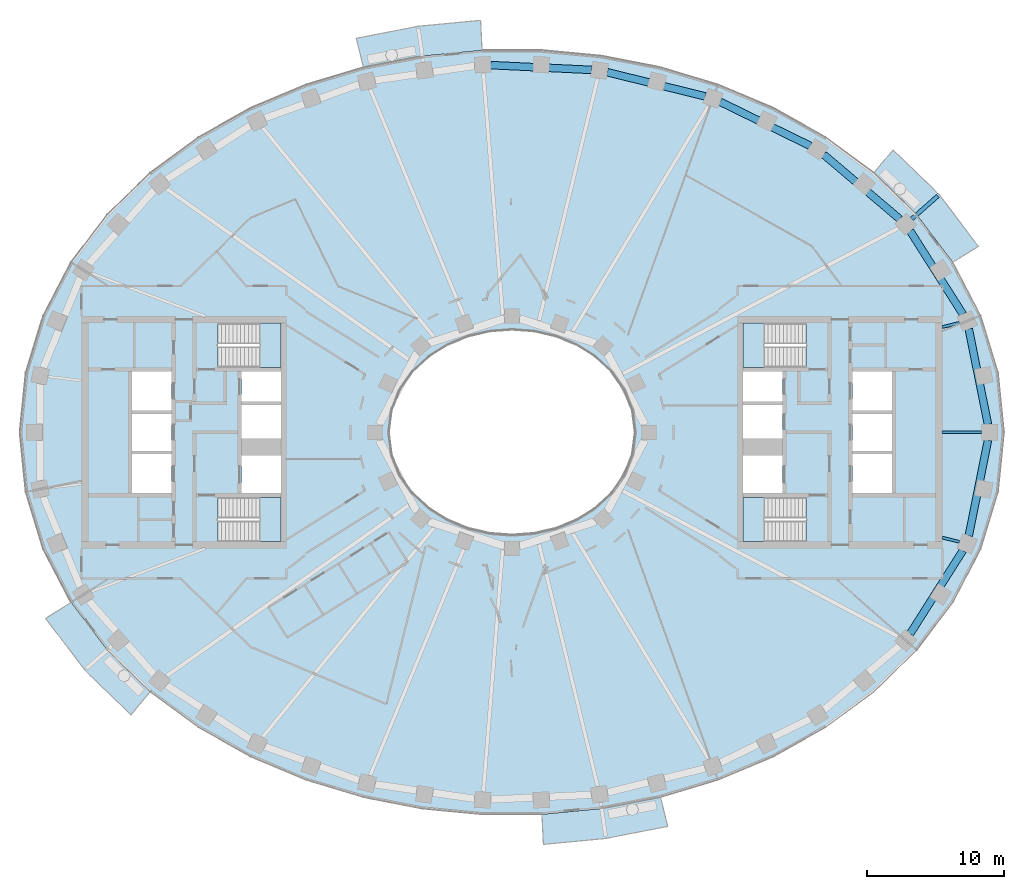
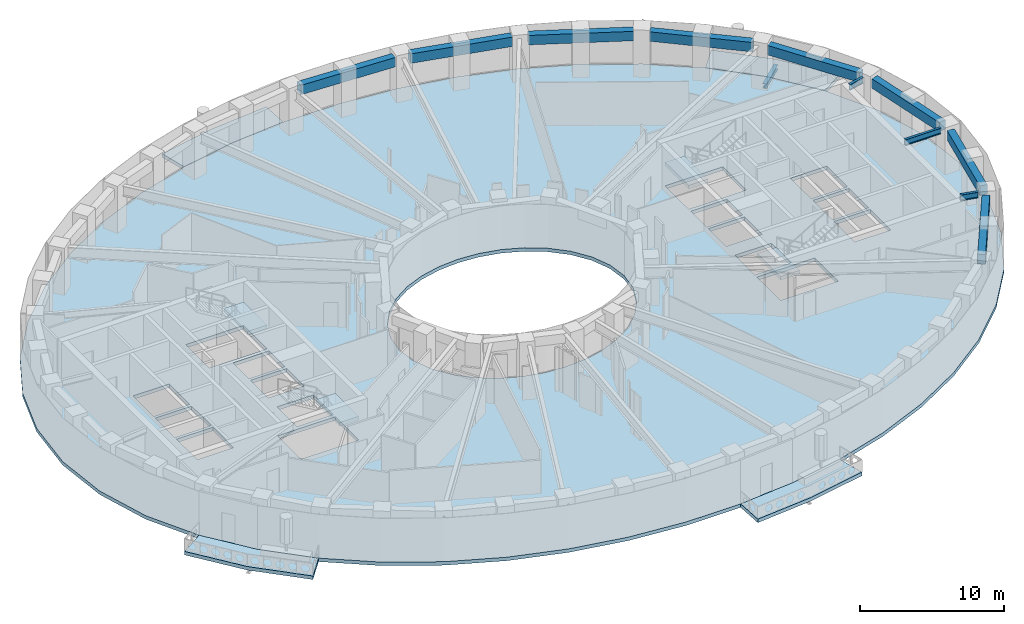
# One storey, part 2 of 16: 12 beams, 9 slabs, 4 elements without a shape of their own.
"""IFC4 building model written with IfcOpenShell, lengths in metres."""

import ifcopenshell
import ifcopenshell.guid

model = None  # the IFC model being written
_history = None  # IfcOwnerHistory: only IFC2X3 demands one
_inside = {}  # id of a spatial element -> (the spatial element, [elements in it])
_under = {}  # id of a project, library or spatial element -> (it, [spatial elements below it])
_declared = {}  # id of a project -> (the project, [libraries it declares])
_typed = {}  # id of a type object -> (the type object, [elements of that type])
_made_of = {}  # id of a material, layer set ... -> (it, [elements and type objects made of it])


def new_model(schema):
    """Start an empty IFC model of exactly this schema.

    Asked for "IFC4X3", IfcOpenShell would pick the latest addendum, in which some entities
    have other attributes; the version numbers below select the first issue.
    IFC2X3 requires an IfcOwnerHistory on every rooted entity: one is made here for all.
    """
    global model, _history
    if schema == "IFC4X3":
        model = ifcopenshell.file(schema_version=(4, 3, 0, 0))
    else:
        model = ifcopenshell.file(schema=schema)
    _inside.clear()
    _under.clear()
    _declared.clear()
    _typed.clear()
    _made_of.clear()
    _history = None
    if model.schema == "IFC2X3":
        org = make("IfcOrganization", Name="unknown")
        user = make(
            "IfcPersonAndOrganization",
            ThePerson=make("IfcPerson", FamilyName="unknown"),
            TheOrganization=org,
        )
        app = make(
            "IfcApplication",
            ApplicationDeveloper=org,
            Version="unknown",
            ApplicationFullName="unknown",
            ApplicationIdentifier="unknown",
        )
        _history = make(
            "IfcOwnerHistory",
            OwningUser=user,
            OwningApplication=app,
            ChangeAction="ADDED",
            CreationDate=0,
        )
    return model


def make(cls, **values):
    """One entity of the class cls with the attributes given. An attribute that is None is left unset."""
    return model.create_entity(
        cls, **{name: value for name, value in values.items() if value is not None}
    )


def rooted(cls, **values):
    """An entity with a GlobalId (a new one), such as an element, a storey or a relation."""
    return make(cls, GlobalId=ifcopenshell.guid.new(), OwnerHistory=_history, **values)


def si_unit(unit_type, name, prefix=None):
    """IfcSIUnit, for example si_unit("LENGTHUNIT", "METRE", prefix="MILLI")."""
    return make("IfcSIUnit", UnitType=unit_type, Prefix=prefix, Name=name)


def assignment(units):
    """IfcUnitAssignment: the units of a project."""
    return None if units is None else make("IfcUnitAssignment", Units=units)


def point(xyz):
    """IfcCartesianPoint."""
    return None if xyz is None else make("IfcCartesianPoint", Coordinates=xyz)


def direction(xyz):
    """IfcDirection."""
    return None if xyz is None else make("IfcDirection", DirectionRatios=xyz)


def frame(location, z_axis=None, x_axis=None):
    """IfcAxis2Placement3D, a coordinate frame: its origin and axes. An axis left out is left unset."""
    return make(
        "IfcAxis2Placement3D",
        Location=point(location),
        Axis=direction(z_axis),
        RefDirection=direction(x_axis),
    )


def frame_2d(location, x_axis=None):
    """IfcAxis2Placement2D, a coordinate frame in the plane: its origin and x axis."""
    return make(
        "IfcAxis2Placement2D", Location=point(location), RefDirection=direction(x_axis)
    )


def origin():
    """The frame at (0, 0, 0) with its axes left unset."""
    return frame((0.0, 0.0, 0.0))


def origin_2d():
    """The frame at (0, 0) in the plane with its x axis left unset."""
    return frame_2d((0.0, 0.0))


def place(relative_to, where):
    """IfcLocalPlacement: puts the frame where relative to a parent placement (None: the world)."""
    return make(
        "IfcLocalPlacement", PlacementRelTo=relative_to, RelativePlacement=where
    )


def context(
    kind, dimensions, precision=None, world=None, true_north=None, identifier=None
):
    """IfcGeometricRepresentationContext, for example the 3D "Model" context."""
    return make(
        "IfcGeometricRepresentationContext",
        ContextIdentifier=identifier,
        ContextType=kind,
        CoordinateSpaceDimension=dimensions,
        Precision=precision,
        WorldCoordinateSystem=world,
        TrueNorth=true_north,
    )


def subcontext(parent, identifier, kind, view, scale=None):
    """IfcGeometricRepresentationSubContext, for example "Body" below "Model"."""
    return make(
        "IfcGeometricRepresentationSubContext",
        ContextIdentifier=identifier,
        ContextType=kind,
        ParentContext=parent,
        TargetScale=scale,
        TargetView=view,
    )


def project(units=None, contexts=None):
    """IfcProject with its units and contexts."""
    return rooted(
        "IfcProject",
        Name="project",
        RepresentationContexts=contexts,
        UnitsInContext=assignment(units),
    )


def spatial(cls, under=None, at=None, **own):
    """A site, building, storey or space (cls), placed at a placement, below another one or the project."""
    s = rooted(cls, ObjectPlacement=at, **own)
    if under is not None:
        _under.setdefault(under.id(), (under, []))[1].append(s)
    return s


def polyline(points):
    """IfcPolyline through the points."""
    return make("IfcPolyline", Points=[point(p) for p in points])


def profile(cls, at=None, kind="AREA", **sizes):
    """A parametric profile (cls). Its sizes go by their IFC names, for example OverallWidth=200.0."""
    return make(cls, ProfileType=kind, Position=at, **sizes)


def rectangle(**sizes):
    """IfcRectangleProfileDef."""
    return profile("IfcRectangleProfileDef", **sizes)


def i_section(**sizes):
    """IfcIShapeProfileDef."""
    return profile("IfcIShapeProfileDef", **sizes)


def outline(outer, holes=None, kind="AREA"):
    """IfcArbitraryClosedProfileDef: a profile drawn as a closed curve; with holes, ...WithVoids."""
    if holes is None:
        return make("IfcArbitraryClosedProfileDef", ProfileType=kind, OuterCurve=outer)
    return make(
        "IfcArbitraryProfileDefWithVoids",
        ProfileType=kind,
        OuterCurve=outer,
        InnerCurves=holes,
    )


def extrude(swept, where, along, depth):
    """IfcExtrudedAreaSolid: the profile swept, set in the frame where, extruded along a direction by depth."""
    return make(
        "IfcExtrudedAreaSolid",
        SweptArea=swept,
        Position=where,
        ExtrudedDirection=direction(along),
        Depth=depth,
    )


def shape(context_of_items, identifier, shape_type, items):
    """IfcShapeRepresentation: the items that make up one representation, for example the "Body"."""
    return make(
        "IfcShapeRepresentation",
        ContextOfItems=context_of_items,
        RepresentationIdentifier=identifier,
        RepresentationType=shape_type,
        Items=items,
    )


def material(Name=None, Category=None):
    """IfcMaterial."""
    return make("IfcMaterial", Name=Name, Category=Category)


def layer(
    of_material, thickness, ventilated=None, Name=None, Category=None, Priority=None
):
    """IfcMaterialLayer: one layer of a wall or slab, of a material (None: an air gap)."""
    return make(
        "IfcMaterialLayer",
        Material=of_material,
        LayerThickness=thickness,
        IsVentilated=ventilated,
        Name=Name,
        Category=Category,
        Priority=Priority,
    )


def layer_set(layers, Name=None):
    """IfcMaterialLayerSet."""
    return make("IfcMaterialLayerSet", MaterialLayers=layers, LayerSetName=Name)


def material_profile(
    of_material, cross_section, Name=None, Category=None, Priority=None
):
    """IfcMaterialProfile: a cross section and its material."""
    return make(
        "IfcMaterialProfile",
        Name=Name,
        Material=of_material,
        Profile=cross_section,
        Priority=Priority,
        Category=Category,
    )


def profile_set(profiles, Name=None, composite=None):
    """IfcMaterialProfileSet."""
    return make(
        "IfcMaterialProfileSet",
        Name=Name,
        MaterialProfiles=profiles,
        CompositeProfile=composite,
    )


def made_of(thing, what):
    """Note that an element or type object is made of a material, layer set ...; save() writes the relation."""
    if what is not None:
        _made_of.setdefault(what.id(), (what, []))[1].append(thing)
    return thing


def type_object(cls, material=None, **own):
    """A type object (cls), such as IfcWallType, which elements share."""
    return made_of(rooted(cls, **own), material)


def element(
    cls,
    number,
    at=None,
    inside=None,
    cuts=None,
    type_object=None,
    material=None,
    context=None,
    identifier="Body",
    shape_type=None,
    held_by="IfcProductDefinitionShape",
    body=None,
    shapes=None,
    **own,
):
    """One element of the class cls, such as IfcWall. Its Tag is "e" and its number.

    at: its placement. inside: the storey or other place that contains it. cuts: it is an
    opening in that element (IfcRelVoidsElement). A single representation is given by context,
    identifier, shape_type and body (its items); several are given by shapes. held_by: the class
    of the entity that holds the representations. save() writes the other relations.
    """
    e = rooted(cls, Tag="e%d" % number, ObjectPlacement=at, **own)
    if body is not None:
        shapes = [shape(context, identifier, shape_type, body)]
    if shapes is not None:
        e.Representation = make(held_by, Representations=shapes)
    if inside is not None:
        _inside.setdefault(inside.id(), (inside, []))[1].append(e)
    if cuts is not None:
        rooted(
            "IfcRelVoidsElement", RelatingBuildingElement=cuts, RelatedOpeningElement=e
        )
    if type_object is not None:
        _typed.setdefault(type_object.id(), (type_object, []))[1].append(e)
    return made_of(e, material)


def aggregate(whole, parts):
    """IfcRelAggregates: a whole, such as a stair, and the parts it consists of."""
    return rooted("IfcRelAggregates", RelatingObject=whole, RelatedObjects=parts)


def save(model, path):
    """Write the relations noted so far, then the file.

    IfcRelAggregates (storeys below a building ...), IfcRelContainedInSpatialStructure (elements
    in a storey), IfcRelDefinesByType, IfcRelAssociatesMaterial and IfcRelDeclares: one each for
    every whole, place, type object, material and project.
    """
    for whole, parts in _under.values():
        aggregate(whole, parts)
    for where, things in _inside.values():
        rooted(
            "IfcRelContainedInSpatialStructure",
            RelatedElements=things,
            RelatingStructure=where,
        )
    for kind, things in _typed.values():
        rooted("IfcRelDefinesByType", RelatedObjects=things, RelatingType=kind)
    for what, things in _made_of.values():
        rooted("IfcRelAssociatesMaterial", RelatedObjects=things, RelatingMaterial=what)
    for by, libraries in _declared.values():
        rooted("IfcRelDeclares", RelatingContext=by, RelatedDefinitions=libraries)
    model.write(path)


model = new_model("IFC4")

# Units and contexts
model_context = context("Model", 3, precision=1e-05, world=origin(), true_north=direction((0.0, 1.0)))
body_context = subcontext(model_context, "Body", "Model", "MODEL_VIEW")
ifc_project = project(units=[si_unit("LENGTHUNIT", "METRE"), si_unit("AREAUNIT", "SQUARE_METRE"), si_unit("VOLUMEUNIT", "CUBIC_METRE"), si_unit("PLANEANGLEUNIT", "RADIAN"), si_unit("MASSUNIT", "GRAM", prefix="KILO")], contexts=[model_context])

# Site, building, storey
site_placement = place(None, origin())
site = spatial("IfcSite", under=ifc_project, at=site_placement, CompositionType="ELEMENT")
building_placement = place(site_placement, origin())
building = spatial("IfcBuilding", under=site, at=building_placement, Name="Noorbagh Ring Tower", CompositionType="ELEMENT")
storey_placement = place(building_placement, frame((0.0, 0.0, 150.0)))
storey = spatial("IfcBuildingStorey", under=building, at=storey_placement, Name="L34", CompositionType="ELEMENT", Elevation=150.0)

# Beams
ifc_material_1 = material(Name="Steel S355", Category="steel")
ifc_material_profile_1 = material_profile(ifc_material_1, i_section(OverallWidth=0.300048828125, OverallDepth=0.39990234375, WebThickness=0.013427734375, FlangeThickness=0.02392578125, FilletRadius=0.027099609375, at=origin_2d()), Name="HEB400")
ifc_profile_set_1 = profile_set([ifc_material_profile_1], Name="Steel S355")
beam_type_1 = type_object("IfcBeamType", Name="STR-BALCONY-BRACKET-HEB400", PredefinedType="BEAM", material=ifc_profile_set_1)
beam_1_placement = place(storey_placement, frame((29.253173828125, 15.61474609375, -0.5), z_axis=(0.749068405178, 0.662492659856, 0.0), x_axis=(-0.662492659856, 0.749068405178, 0.0)))
element("IfcBeam", 1, at=beam_1_placement, inside=storey, type_object=beam_type_1, Name="Balcony bracket beam BN01", PredefinedType="BEAM", context=body_context, shape_type="SweptSolid", body=[
    extrude(i_section(OverallWidth=0.300048828125, OverallDepth=0.39990234375, WebThickness=0.013427734375, FlangeThickness=0.02392578125, FilletRadius=0.027099609375, at=origin_2d()), origin(), (0.0, 0.0, 1.0), 2.529541015625),
])
ifc_material_2 = material(Name="Steel S355", Category="steel")
ifc_material_profile_2 = material_profile(ifc_material_2, i_section(OverallWidth=0.199951171875, OverallDepth=0.5, WebThickness=0.01025390625, FlangeThickness=0.01611328125, FilletRadius=0.02099609375, at=origin_2d()), Name="IPE500")
ifc_profile_set_2 = profile_set([ifc_material_profile_2], Name="Steel S355")
beam_type_2 = type_object("IfcBeamType", Name="STR-RAD-IPE500", PredefinedType="BEAM", material=ifc_profile_set_2)
beam_2_placement = place(storey_placement, frame((34.36474609375, 0.0, 3.449951171875), z_axis=(-1.0, 0.0, 0.0), x_axis=(0.0, -1.0, 0.0)))
element("IfcBeam", 2, at=beam_2_placement, inside=storey, type_object=beam_type_2, Name="L34/bm/RD01", PredefinedType="BEAM", context=body_context, shape_type="SweptSolid", body=[
    extrude(i_section(OverallWidth=0.199951171875, OverallDepth=0.5, WebThickness=0.01025390625, FlangeThickness=0.01611328125, FilletRadius=0.02099609375, at=origin_2d()), origin(), (0.0, 0.0, 1.0), 2.884765625),
])
for number, where, z_axis, x_axis, name in (
    (3, (32.7353515625, 8.010009765625, 3.449951171875), (-0.971331161348, -0.237730467116, 0.0), (0.237730467116, -0.971331161348, 0.0), "L34/bm/RD03"),
    (4, (32.7353515625, -8.010009765625, 3.449951171875), (-0.971331161348, 0.237730467116, 0.0), (-0.237730467116, -0.971331161348, 0.0), "L34/bm/RD45"),
):
    element("IfcBeam", number, at=place(storey_placement, frame(where, z_axis=z_axis, x_axis=x_axis)), inside=storey, type_object=beam_type_2, Name=name, PredefinedType="BEAM", context=body_context, shape_type="SweptSolid", body=[
        extrude(i_section(OverallWidth=0.199951171875, OverallDepth=0.5, WebThickness=0.01025390625, FlangeThickness=0.01611328125, FilletRadius=0.02099609375, at=origin_2d()), origin(), (0.0, 0.0, 1.0), 1.2919921875),
    ])
ifc_material_3 = material(Name="Concrete C40/50", Category="concrete")
ifc_material_profile_3 = material_profile(ifc_material_3, rectangle(XDim=0.550048828125, YDim=0.800048828125, at=origin_2d()), Name="RC550x800")
ifc_profile_set_3 = profile_set([ifc_material_profile_3], Name="Concrete C40/50")
beam_type_3 = type_object("IfcBeamType", Name="STR-SB-RC550x800-C40-50", PredefinedType="BEAM", material=ifc_profile_set_3)
beam_3_placement = place(storey_placement, frame((34.827880859375, 0.580322265625, 3.300048828125), z_axis=(-0.19720917592, 0.980361433826, 0.0), x_axis=(-0.980361433826, -0.19720917592, 0.0)))
element("IfcBeam", 5, at=beam_3_placement, inside=storey, type_object=beam_type_3, Name="L34/bm/SP01", PredefinedType="BEAM", context=body_context, shape_type="SweptSolid", body=[
    extrude(rectangle(XDim=0.550048828125, YDim=0.800048828125, at=origin_2d()), origin(), (0.0, 0.0, 1.0), 7.12939453125),
])
beam_4_placement = place(storey_placement, frame((32.98974609375, 8.647216796875, 3.300048828125), z_axis=(-0.535190716377, 0.844731257326, 0.0), x_axis=(-0.844731257326, -0.535190716377, 0.0)))
element("IfcBeam", 6, at=beam_4_placement, inside=storey, type_object=beam_type_3, Name="L34/bm/SP03", PredefinedType="BEAM", context=body_context, shape_type="SweptSolid", body=[
    extrude(rectangle(XDim=0.550048828125, YDim=0.800048828125, at=origin_2d()), origin(), (0.0, 0.0, 1.0), 7.205810546875),
])
beam_5_placement = place(storey_placement, frame((28.37158203125, 15.609375, 3.300048828125), z_axis=(-0.76303051661, 0.646362460792, 0.0), x_axis=(-0.646362460792, -0.76303051661, 0.0)))
element("IfcBeam", 7, at=beam_5_placement, inside=storey, type_object=beam_type_3, Name="L34/bm/SP05", PredefinedType="BEAM", context=body_context, shape_type="SweptSolid", body=[
    extrude(rectangle(XDim=0.550048828125, YDim=0.800048828125, at=origin_2d()), origin(), (0.0, 0.0, 1.0), 7.290771484375),
])
beam_6_placement = place(storey_placement, frame((21.837158203125, 20.95654296875, 3.300048828125), z_axis=(-0.898397175695, 0.439183918994, 0.0), x_axis=(-0.439183918994, -0.898397175695, 0.0)))
element("IfcBeam", 8, at=beam_6_placement, inside=storey, type_object=beam_type_3, Name="L34/bm/SP07", PredefinedType="BEAM", context=body_context, shape_type="SweptSolid", body=[
    extrude(rectangle(XDim=0.550048828125, YDim=0.800048828125, at=origin_2d()), origin(), (0.0, 0.0, 1.0), 7.35009765625),
])
beam_7_placement = place(storey_placement, frame((14.143310546875, 24.580810546875, 3.300048828125), z_axis=(-0.970832897369, 0.239757138341, 0.0), x_axis=(-0.239757138341, -0.970832897369, 0.0)))
element("IfcBeam", 9, at=beam_7_placement, inside=storey, type_object=beam_type_3, Name="L34/bm/SP09", PredefinedType="BEAM", context=body_context, shape_type="SweptSolid", body=[
    extrude(rectangle(XDim=0.550048828125, YDim=0.800048828125, at=origin_2d()), origin(), (0.0, 0.0, 1.0), 7.383544921875),
])
beam_8_placement = place(storey_placement, frame((5.8271484375, 26.5185546875, 3.300048828125), z_axis=(-0.9988682124, 0.047563581193, 0.0), x_axis=(-0.047563581193, -0.9988682124, 0.0)))
element("IfcBeam", 10, at=beam_8_placement, inside=storey, type_object=beam_type_3, Name="L34/bm/SP11", PredefinedType="BEAM", context=body_context, shape_type="SweptSolid", body=[
    extrude(rectangle(XDim=0.550048828125, YDim=0.800048828125, at=origin_2d()), origin(), (0.0, 0.0, 1.0), 7.396484375),
])
beam_9_placement = place(storey_placement, frame((29.13330078125, -14.734130859375, 3.300048828125), z_axis=(0.535190716377, 0.844731257326, 0.0), x_axis=(-0.844731257326, 0.535190716377, 0.0)))
element("IfcBeam", 11, at=beam_9_placement, inside=storey, type_object=beam_type_3, Name="L34/bm/SP43", PredefinedType="BEAM", context=body_context, shape_type="SweptSolid", body=[
    extrude(rectangle(XDim=0.550048828125, YDim=0.800048828125, at=origin_2d()), origin(), (0.0, 0.0, 1.0), 7.205810546875),
])
beam_10_placement = place(storey_placement, frame((33.421875, -7.56982421875, 3.300048828125), z_axis=(0.19720917592, 0.980361433826, 0.0), x_axis=(-0.980361433826, 0.19720917592, 0.0)))
element("IfcBeam", 12, at=beam_10_placement, inside=storey, type_object=beam_type_3, Name="L34/bm/SP45", PredefinedType="BEAM", context=body_context, shape_type="SweptSolid", body=[
    extrude(rectangle(XDim=0.550048828125, YDim=0.800048828125, at=origin_2d()), origin(), (0.0, 0.0, 1.0), 7.12939453125),
])

# Stair, slab
ifc_material_4 = material(Name="Concrete C40/50", Category="concrete")
stair_type = type_object("IfcStairType", Name="CORE-STAIR", PredefinedType="HALF_TURN_STAIR", material=ifc_material_4)
stair_1_placement = place(storey_placement, origin())
stair_1 = element("IfcStair", 13, at=stair_1_placement, inside=storey, type_object=stair_type, Name="L34 Exit stair ST1", PredefinedType="HALF_TURN_STAIR")
ifc_material_5 = material(Name="Concrete C40/50", Category="concrete")
ifc_layer_1 = layer(ifc_material_5, 0.300048828125)
ifc_layer_set_1 = layer_set([ifc_layer_1], Name="Concrete C40/50")
slab_type_1 = type_object("IfcSlabType", Name="CORE-STAIR-LANDING", PredefinedType="LANDING", material=ifc_layer_set_1)
slab_1_placement = place(storey_placement, frame((0.0, 0.0, 1.699951171875)))
slab_1 = element("IfcSlab", 14, at=slab_1_placement, type_object=slab_type_1, Name="ST1 landing 1", PredefinedType="LANDING", context=body_context, shape_type="SweptSolid", body=[
    extrude(outline(polyline([(-18.449951171875, 4.75), (-16.89990234375, 4.75), (-16.89990234375, 8.0), (-18.449951171875, 8.0), (-18.449951171875, 4.75)])), origin(), (0.0, 0.0, 1.0), 0.300048828125),
])
aggregate(stair_1, [slab_1])

stair_2_placement = place(storey_placement, origin())
stair_2 = element("IfcStair", 15, at=stair_2_placement, inside=storey, type_object=stair_type, Name="L34 Exit stair ST2", PredefinedType="HALF_TURN_STAIR")
slab_2_placement = place(storey_placement, frame((0.0, 0.0, 1.699951171875)))
slab_2 = element("IfcSlab", 16, at=slab_2_placement, type_object=slab_type_1, Name="ST2 landing 1", PredefinedType="LANDING", context=body_context, shape_type="SweptSolid", body=[
    extrude(outline(polyline([(-18.449951171875, -8.0), (-16.89990234375, -8.0), (-16.89990234375, -4.75), (-18.449951171875, -4.75), (-18.449951171875, -8.0)])), origin(), (0.0, 0.0, 1.0), 0.300048828125),
])
aggregate(stair_2, [slab_2])

stair_3_placement = place(storey_placement, origin())
stair_3 = element("IfcStair", 17, at=stair_3_placement, inside=storey, type_object=stair_type, Name="L34 Exit stair ST3", PredefinedType="HALF_TURN_STAIR")
slab_3_placement = place(storey_placement, frame((0.0, 0.0, 1.699951171875)))
slab_3 = element("IfcSlab", 18, at=slab_3_placement, type_object=slab_type_1, Name="ST3 landing 1", PredefinedType="LANDING", context=body_context, shape_type="SweptSolid", body=[
    extrude(outline(polyline([(18.449951171875, 8.0), (16.89990234375, 8.0), (16.89990234375, 4.75), (18.449951171875, 4.75), (18.449951171875, 8.0)])), origin(), (0.0, 0.0, 1.0), 0.300048828125),
])
aggregate(stair_3, [slab_3])

stair_4_placement = place(storey_placement, origin())
stair_4 = element("IfcStair", 19, at=stair_4_placement, inside=storey, type_object=stair_type, Name="L34 Exit stair ST4", PredefinedType="HALF_TURN_STAIR")
slab_4_placement = place(storey_placement, frame((0.0, 0.0, 1.699951171875)))
slab_4 = element("IfcSlab", 20, at=slab_4_placement, type_object=slab_type_1, Name="ST4 landing 1", PredefinedType="LANDING", context=body_context, shape_type="SweptSolid", body=[
    extrude(outline(polyline([(18.449951171875, -4.75), (16.89990234375, -4.75), (16.89990234375, -8.0), (18.449951171875, -8.0), (18.449951171875, -4.75)])), origin(), (0.0, 0.0, 1.0), 0.300048828125),
])
aggregate(stair_4, [slab_4])

# Slabs
ifc_material_6 = material(Name="Concrete C40/50", Category="concrete")
ifc_layer_2 = layer(ifc_material_6, 0.300048828125)
ifc_layer_set_2 = layer_set([ifc_layer_2], Name="Concrete C40/50")
slab_type_2 = type_object("IfcSlabType", Name="ENV-BALCONY DECK 300", PredefinedType="FLOOR", material=ifc_layer_set_2)
slab_5_placement = place(storey_placement, frame((0.0, 0.0, -0.300048828125)))
element("IfcSlab", 21, at=slab_5_placement, inside=storey, type_object=slab_type_2, Name="Tree balcony deck BN01", PredefinedType="FLOOR", context=body_context, shape_type="SweptSolid", body=[
    extrude(outline(polyline([(34.120361328125, 13.615966796875), (31.26025390625, 17.389892578125), (27.888671875, 20.665771484375), (26.463134765625, 18.983154296875), (29.607666015625, 15.92822265625), (32.255126953125, 12.434814453125), (34.120361328125, 13.615966796875)])), origin(), (0.0, 0.0, 1.0), 0.300048828125),
])
slab_6_placement = place(storey_placement, frame((0.0, 0.0, -0.300048828125)))
element("IfcSlab", 22, at=slab_6_placement, inside=storey, type_object=slab_type_2, Name="Tree balcony deck BN04", PredefinedType="FLOOR", context=body_context, shape_type="SweptSolid", body=[
    extrude(outline(polyline([(-2.2978515625, 30.14794921875), (-6.874755859375, 29.711181640625), (-11.3935546875, 28.832763671875), (-10.865234375, 26.6943359375), (-6.5595703125, 27.53125), (-2.193115234375, 27.947998046875), (-2.2978515625, 30.14794921875)])), origin(), (0.0, 0.0, 1.0), 0.300048828125),
])
slab_7_placement = place(storey_placement, frame((0.0, 0.0, -0.300048828125)))
element("IfcSlab", 23, at=slab_7_placement, inside=storey, type_object=slab_type_2, Name="Tree balcony deck BS01", PredefinedType="FLOOR", context=body_context, shape_type="SweptSolid", body=[
    extrude(outline(polyline([(-34.120361328125, -13.615966796875), (-31.26025390625, -17.389892578125), (-27.888671875, -20.665771484375), (-26.463134765625, -18.983154296875), (-29.607666015625, -15.92822265625), (-32.255126953125, -12.434814453125), (-34.120361328125, -13.615966796875)])), origin(), (0.0, 0.0, 1.0), 0.300048828125),
])
slab_8_placement = place(storey_placement, frame((0.0, 0.0, -0.300048828125)))
element("IfcSlab", 24, at=slab_8_placement, inside=storey, type_object=slab_type_2, Name="Tree balcony deck BS04", PredefinedType="FLOOR", context=body_context, shape_type="SweptSolid", body=[
    extrude(outline(polyline([(2.2978515625, -30.14794921875), (6.874755859375, -29.711181640625), (11.3935546875, -28.832763671875), (10.865234375, -26.6943359375), (6.5595703125, -27.53125), (2.193115234375, -27.947998046875), (2.2978515625, -30.14794921875)])), origin(), (0.0, 0.0, 1.0), 0.300048828125),
])
ifc_material_7 = material(Name="Concrete C40/50", Category="concrete")
ifc_layer_3 = layer(ifc_material_7, 0.300048828125)
ifc_layer_set_3 = layer_set([ifc_layer_3], Name="Concrete C40/50")
slab_type_3 = type_object("IfcSlabType", Name="STR-FLOOR-DECK-300", PredefinedType="FLOOR", material=ifc_layer_set_3)
slab_9_placement = place(storey_placement, frame((0.0, 0.0, -0.300048828125)))
element("IfcSlab", 25, at=slab_9_placement, inside=storey, type_object=slab_type_3, Name="L34/slab/1", PredefinedType="FLOOR", context=body_context, shape_type="SweptSolid", body=[
    extrude(outline(polyline([(36.0, 0.0), (35.56103515625, 4.358642578125), (34.281005859375, 8.548828125), (32.255126953125, 12.434814453125), (29.607666015625, 15.92822265625), (26.463134765625, 18.983154296875), (22.9326171875, 21.583740234375), (19.108154296875, 23.730224609375), (15.0654296875, 25.430419921875), (10.865234375, 26.6943359375), (6.5595703125, 27.53125), (2.193115234375, 27.947998046875), (-2.193115234375, 27.947998046875), (-6.5595703125, 27.53125), (-10.865234375, 26.6943359375), (-15.0654296875, 25.430419921875), (-19.108154296875, 23.730224609375), (-22.9326171875, 21.583740234375), (-26.463134765625, 18.983154296875), (-29.607666015625, 15.92822265625), (-32.255126953125, 12.434814453125), (-34.281005859375, 8.548828125), (-35.56103515625, 4.358642578125), (-36.0, 0.0), (-35.56103515625, -4.358642578125), (-34.281005859375, -8.548828125), (-32.255126953125, -12.434814453125), (-29.607666015625, -15.92822265625), (-26.463134765625, -18.983154296875), (-22.9326171875, -21.583740234375), (-19.108154296875, -23.730224609375), (-15.0654296875, -25.430419921875), (-10.865234375, -26.6943359375), (-6.5595703125, -27.53125), (-2.193115234375, -27.947998046875), (2.193115234375, -27.947998046875), (6.5595703125, -27.53125), (10.865234375, -26.6943359375), (15.0654296875, -25.430419921875), (19.108154296875, -23.730224609375), (22.9326171875, -21.583740234375), (26.463134765625, -18.983154296875), (29.607666015625, -15.92822265625), (32.255126953125, -12.434814453125), (34.281005859375, -8.548828125), (35.56103515625, -4.358642578125), (36.0, 0.0)]), holes=[polyline([(24.89990234375, 4.449951171875), (27.800048828125, 4.449951171875), (27.800048828125, 1.60009765625), (24.89990234375, 1.60009765625), (24.89990234375, 4.449951171875)]), polyline([(24.89990234375, 1.35009765625), (27.800048828125, 1.35009765625), (27.800048828125, -1.35009765625), (24.89990234375, -1.35009765625), (24.89990234375, 1.35009765625)]), polyline([(24.89990234375, -1.60009765625), (27.800048828125, -1.60009765625), (27.800048828125, -4.449951171875), (24.89990234375, -4.449951171875), (24.89990234375, -1.60009765625)]), polyline([(21.529541015625, -8.0), (16.89990234375, -8.0), (16.89990234375, -4.75), (21.529541015625, -4.75), (21.529541015625, -8.0)]), polyline([(16.89990234375, 4.75), (16.89990234375, 8.0), (21.529541015625, 8.0), (21.529541015625, 4.75), (16.89990234375, 4.75)]), polyline([(19.800048828125, 4.449951171875), (19.800048828125, 2.25), (16.89990234375, 2.25), (16.89990234375, 4.449951171875), (19.800048828125, 4.449951171875)]), polyline([(16.89990234375, 2.0), (19.800048828125, 2.0), (19.800048828125, -0.449951171875), (16.89990234375, -0.449951171875), (16.89990234375, 2.0)]), polyline([(16.89990234375, -1.699951171875), (19.800048828125, -1.699951171875), (19.800048828125, -4.449951171875), (16.89990234375, -4.449951171875), (16.89990234375, -1.699951171875)]), polyline([(4.697509765625, -6.3974609375), (3.196533203125, -7.010986328125), (1.6171875, -7.3779296875), (0.0, -7.5), (-1.6171875, -7.3779296875), (-3.196533203125, -7.010986328125), (-4.697509765625, -6.3974609375), (-6.071044921875, -5.53662109375), (-7.2587890625, -4.43408203125), (-8.1904296875, -3.10888671875), (-8.79150390625, -1.605224609375), (-9.0, 0.0), (-8.79150390625, 1.605224609375), (-8.1904296875, 3.10888671875), (-7.2587890625, 4.43408203125), (-6.071044921875, 5.53662109375), (-4.697509765625, 6.3974609375), (-3.196533203125, 7.010986328125), (-1.6171875, 7.3779296875), (0.0, 7.5), (1.6171875, 7.3779296875), (3.196533203125, 7.010986328125), (4.697509765625, 6.3974609375), (6.071044921875, 5.53662109375), (7.2587890625, 4.43408203125), (8.1904296875, 3.10888671875), (8.79150390625, 1.605224609375), (9.0, 0.0), (8.79150390625, -1.605224609375), (8.1904296875, -3.10888671875), (7.2587890625, -4.43408203125), (6.071044921875, -5.53662109375), (4.697509765625, -6.3974609375)]), polyline([(-16.89990234375, 2.25), (-19.800048828125, 2.25), (-19.800048828125, 4.449951171875), (-16.89990234375, 4.449951171875), (-16.89990234375, 2.25)]), polyline([(-16.89990234375, -0.449951171875), (-19.800048828125, -0.449951171875), (-19.800048828125, 2.0), (-16.89990234375, 2.0), (-16.89990234375, -0.449951171875)]), polyline([(-16.89990234375, -4.449951171875), (-19.800048828125, -4.449951171875), (-19.800048828125, -1.699951171875), (-16.89990234375, -1.699951171875), (-16.89990234375, -4.449951171875)]), polyline([(-21.529541015625, 8.0), (-16.89990234375, 8.0), (-16.89990234375, 4.75), (-21.529541015625, 4.75), (-21.529541015625, 8.0)]), polyline([(-21.529541015625, -4.75), (-16.89990234375, -4.75), (-16.89990234375, -8.0), (-21.529541015625, -8.0), (-21.529541015625, -4.75)]), polyline([(-24.89990234375, -4.449951171875), (-27.800048828125, -4.449951171875), (-27.800048828125, -1.60009765625), (-24.89990234375, -1.60009765625), (-24.89990234375, -4.449951171875)]), polyline([(-24.89990234375, 1.60009765625), (-27.800048828125, 1.60009765625), (-27.800048828125, 4.449951171875), (-24.89990234375, 4.449951171875), (-24.89990234375, 1.60009765625)]), polyline([(-24.89990234375, -1.35009765625), (-27.800048828125, -1.35009765625), (-27.800048828125, 1.35009765625), (-24.89990234375, 1.35009765625), (-24.89990234375, -1.35009765625)])]), origin(), (0.0, 0.0, 1.0), 0.300048828125),
])

save(model, "model.ifc")
